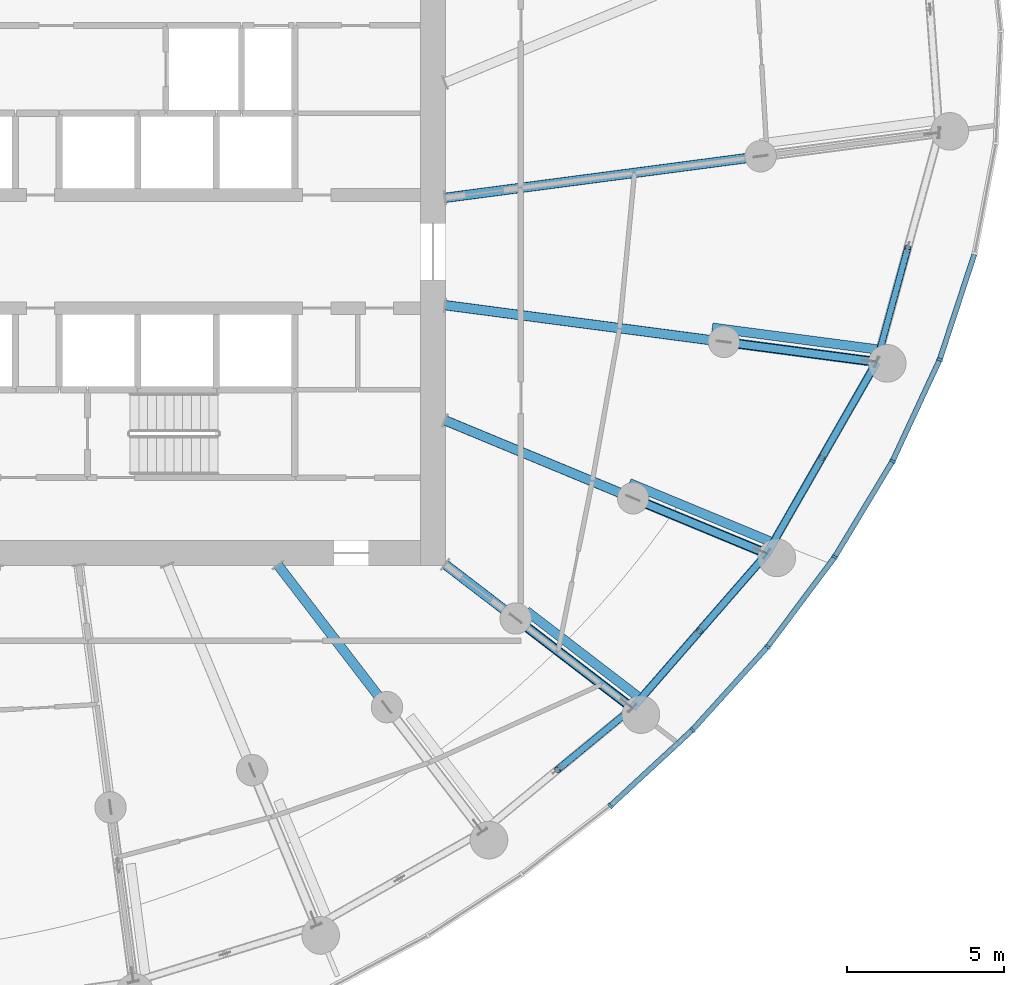
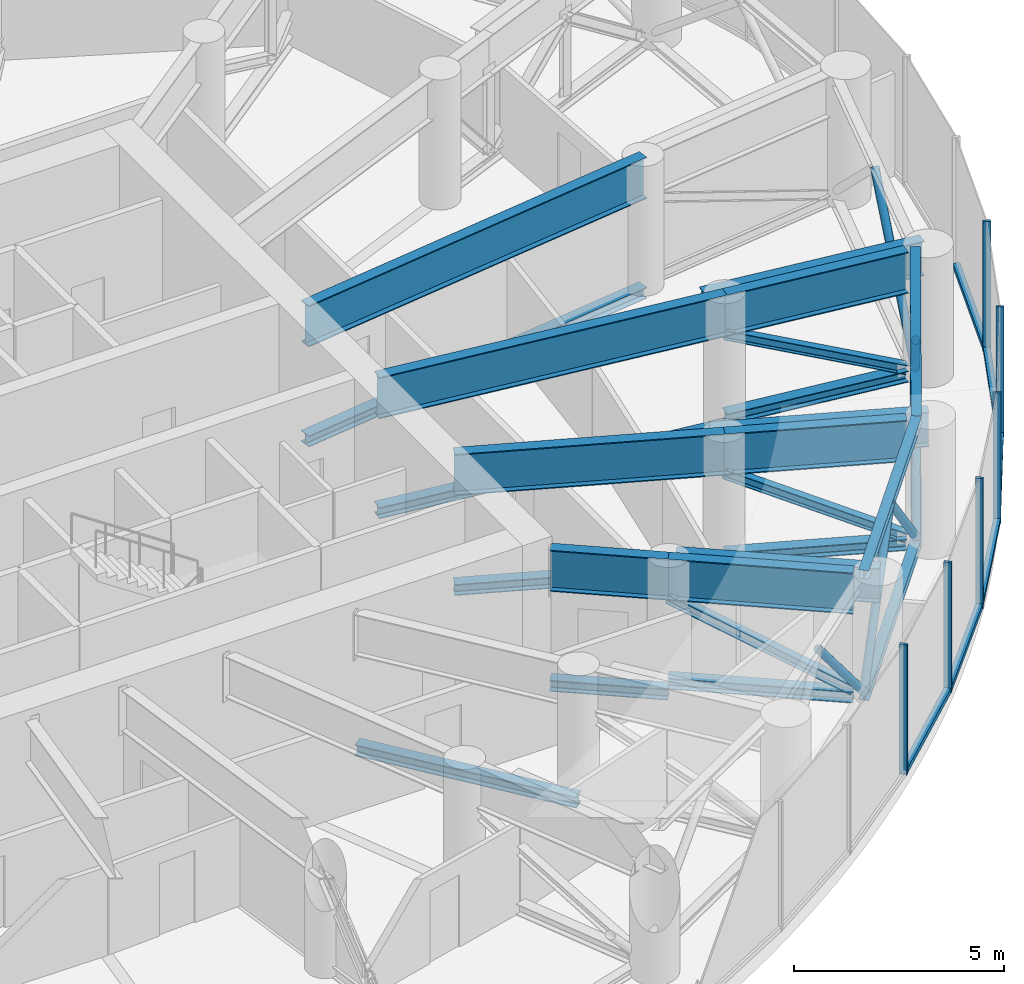
# One storey, part 6 of 33: 33 members, 10 beams, 2 elements without a shape of their own.
"""IFC4 building model written with IfcOpenShell, lengths in metres."""

import ifcopenshell
import ifcopenshell.guid

model = None  # the IFC model being written
_history = None  # IfcOwnerHistory: only IFC2X3 demands one
_inside = {}  # id of a spatial element -> (the spatial element, [elements in it])
_under = {}  # id of a project, library or spatial element -> (it, [spatial elements below it])
_declared = {}  # id of a project -> (the project, [libraries it declares])
_typed = {}  # id of a type object -> (the type object, [elements of that type])
_made_of = {}  # id of a material, layer set ... -> (it, [elements and type objects made of it])


def new_model(schema):
    """Start an empty IFC model of exactly this schema.

    Asked for "IFC4X3", IfcOpenShell would pick the latest addendum, in which some entities
    have other attributes; the version numbers below select the first issue.
    IFC2X3 requires an IfcOwnerHistory on every rooted entity: one is made here for all.
    """
    global model, _history
    if schema == "IFC4X3":
        model = ifcopenshell.file(schema_version=(4, 3, 0, 0))
    else:
        model = ifcopenshell.file(schema=schema)
    _inside.clear()
    _under.clear()
    _declared.clear()
    _typed.clear()
    _made_of.clear()
    _history = None
    if model.schema == "IFC2X3":
        org = make("IfcOrganization", Name="unknown")
        user = make(
            "IfcPersonAndOrganization",
            ThePerson=make("IfcPerson", FamilyName="unknown"),
            TheOrganization=org,
        )
        app = make(
            "IfcApplication",
            ApplicationDeveloper=org,
            Version="unknown",
            ApplicationFullName="unknown",
            ApplicationIdentifier="unknown",
        )
        _history = make(
            "IfcOwnerHistory",
            OwningUser=user,
            OwningApplication=app,
            ChangeAction="ADDED",
            CreationDate=0,
        )
    return model


def make(cls, **values):
    """One entity of the class cls with the attributes given. An attribute that is None is left unset."""
    return model.create_entity(
        cls, **{name: value for name, value in values.items() if value is not None}
    )


def rooted(cls, **values):
    """An entity with a GlobalId (a new one), such as an element, a storey or a relation."""
    return make(cls, GlobalId=ifcopenshell.guid.new(), OwnerHistory=_history, **values)


def si_unit(unit_type, name, prefix=None):
    """IfcSIUnit, for example si_unit("LENGTHUNIT", "METRE", prefix="MILLI")."""
    return make("IfcSIUnit", UnitType=unit_type, Prefix=prefix, Name=name)


def assignment(units):
    """IfcUnitAssignment: the units of a project."""
    return None if units is None else make("IfcUnitAssignment", Units=units)


def point(xyz):
    """IfcCartesianPoint."""
    return None if xyz is None else make("IfcCartesianPoint", Coordinates=xyz)


def direction(xyz):
    """IfcDirection."""
    return None if xyz is None else make("IfcDirection", DirectionRatios=xyz)


def frame(location, z_axis=None, x_axis=None):
    """IfcAxis2Placement3D, a coordinate frame: its origin and axes. An axis left out is left unset."""
    return make(
        "IfcAxis2Placement3D",
        Location=point(location),
        Axis=direction(z_axis),
        RefDirection=direction(x_axis),
    )


def frame_2d(location, x_axis=None):
    """IfcAxis2Placement2D, a coordinate frame in the plane: its origin and x axis."""
    return make(
        "IfcAxis2Placement2D", Location=point(location), RefDirection=direction(x_axis)
    )


def origin():
    """The frame at (0, 0, 0) with its axes left unset."""
    return frame((0.0, 0.0, 0.0))


def origin_2d():
    """The frame at (0, 0) in the plane with its x axis left unset."""
    return frame_2d((0.0, 0.0))


def place(relative_to, where):
    """IfcLocalPlacement: puts the frame where relative to a parent placement (None: the world)."""
    return make(
        "IfcLocalPlacement", PlacementRelTo=relative_to, RelativePlacement=where
    )


def context(
    kind, dimensions, precision=None, world=None, true_north=None, identifier=None
):
    """IfcGeometricRepresentationContext, for example the 3D "Model" context."""
    return make(
        "IfcGeometricRepresentationContext",
        ContextIdentifier=identifier,
        ContextType=kind,
        CoordinateSpaceDimension=dimensions,
        Precision=precision,
        WorldCoordinateSystem=world,
        TrueNorth=true_north,
    )


def subcontext(parent, identifier, kind, view, scale=None):
    """IfcGeometricRepresentationSubContext, for example "Body" below "Model"."""
    return make(
        "IfcGeometricRepresentationSubContext",
        ContextIdentifier=identifier,
        ContextType=kind,
        ParentContext=parent,
        TargetScale=scale,
        TargetView=view,
    )


def project(units=None, contexts=None):
    """IfcProject with its units and contexts."""
    return rooted(
        "IfcProject",
        Name="project",
        RepresentationContexts=contexts,
        UnitsInContext=assignment(units),
    )


def spatial(cls, under=None, at=None, **own):
    """A site, building, storey or space (cls), placed at a placement, below another one or the project."""
    s = rooted(cls, ObjectPlacement=at, **own)
    if under is not None:
        _under.setdefault(under.id(), (under, []))[1].append(s)
    return s


def profile(cls, at=None, kind="AREA", **sizes):
    """A parametric profile (cls). Its sizes go by their IFC names, for example OverallWidth=200.0."""
    return make(cls, ProfileType=kind, Position=at, **sizes)


def rectangle(**sizes):
    """IfcRectangleProfileDef."""
    return profile("IfcRectangleProfileDef", **sizes)


def hollow_circle(**sizes):
    """IfcCircleHollowProfileDef."""
    return profile("IfcCircleHollowProfileDef", **sizes)


def i_section(**sizes):
    """IfcIShapeProfileDef."""
    return profile("IfcIShapeProfileDef", **sizes)


def extrude(swept, where, along, depth):
    """IfcExtrudedAreaSolid: the profile swept, set in the frame where, extruded along a direction by depth."""
    return make(
        "IfcExtrudedAreaSolid",
        SweptArea=swept,
        Position=where,
        ExtrudedDirection=direction(along),
        Depth=depth,
    )


def shape(context_of_items, identifier, shape_type, items):
    """IfcShapeRepresentation: the items that make up one representation, for example the "Body"."""
    return make(
        "IfcShapeRepresentation",
        ContextOfItems=context_of_items,
        RepresentationIdentifier=identifier,
        RepresentationType=shape_type,
        Items=items,
    )


def source(mapping_origin, context_of_items, identifier, shape_type, items):
    """IfcRepresentationMap: a shape defined once, which mapped items show again and again."""
    return make(
        "IfcRepresentationMap",
        MappingOrigin=mapping_origin,
        MappedRepresentation=shape(context_of_items, identifier, shape_type, items),
    )


def transform(
    local_origin,
    x_axis=None,
    y_axis=None,
    z_axis=None,
    scale=None,
    scale2=None,
    scale3=None,
    uniform=True,
):
    """IfcCartesianTransformationOperator3D, or its non-uniform kind. x_axis, y_axis, z_axis: its Axis1, 2, 3."""
    if uniform:
        return make(
            "IfcCartesianTransformationOperator3D",
            Axis1=direction(x_axis),
            Axis2=direction(y_axis),
            LocalOrigin=point(local_origin),
            Scale=scale,
            Axis3=direction(z_axis),
        )
    return make(
        "IfcCartesianTransformationOperator3DnonUniform",
        Axis1=direction(x_axis),
        Axis2=direction(y_axis),
        LocalOrigin=point(local_origin),
        Scale=scale,
        Axis3=direction(z_axis),
        Scale2=scale2,
        Scale3=scale3,
    )


def mapped(mapping_source, mapping_target):
    """IfcMappedItem: shows the shape of a source again, moved by a transform."""
    return make(
        "IfcMappedItem", MappingSource=mapping_source, MappingTarget=mapping_target
    )


def material(Name=None, Category=None):
    """IfcMaterial."""
    return make("IfcMaterial", Name=Name, Category=Category)


def layer(
    of_material, thickness, ventilated=None, Name=None, Category=None, Priority=None
):
    """IfcMaterialLayer: one layer of a wall or slab, of a material (None: an air gap)."""
    return make(
        "IfcMaterialLayer",
        Material=of_material,
        LayerThickness=thickness,
        IsVentilated=ventilated,
        Name=Name,
        Category=Category,
        Priority=Priority,
    )


def layer_set(layers, Name=None):
    """IfcMaterialLayerSet."""
    return make("IfcMaterialLayerSet", MaterialLayers=layers, LayerSetName=Name)


def material_profile(
    of_material, cross_section, Name=None, Category=None, Priority=None
):
    """IfcMaterialProfile: a cross section and its material."""
    return make(
        "IfcMaterialProfile",
        Name=Name,
        Material=of_material,
        Profile=cross_section,
        Priority=Priority,
        Category=Category,
    )


def profile_set(profiles, Name=None, composite=None):
    """IfcMaterialProfileSet."""
    return make(
        "IfcMaterialProfileSet",
        Name=Name,
        MaterialProfiles=profiles,
        CompositeProfile=composite,
    )


def made_of(thing, what):
    """Note that an element or type object is made of a material, layer set ...; save() writes the relation."""
    if what is not None:
        _made_of.setdefault(what.id(), (what, []))[1].append(thing)
    return thing


def type_object(cls, material=None, **own):
    """A type object (cls), such as IfcWallType, which elements share."""
    return made_of(rooted(cls, **own), material)


def element(
    cls,
    number,
    at=None,
    inside=None,
    cuts=None,
    type_object=None,
    material=None,
    context=None,
    identifier="Body",
    shape_type=None,
    held_by="IfcProductDefinitionShape",
    body=None,
    shapes=None,
    **own,
):
    """One element of the class cls, such as IfcWall. Its Tag is "e" and its number.

    at: its placement. inside: the storey or other place that contains it. cuts: it is an
    opening in that element (IfcRelVoidsElement). A single representation is given by context,
    identifier, shape_type and body (its items); several are given by shapes. held_by: the class
    of the entity that holds the representations. save() writes the other relations.
    """
    e = rooted(cls, Tag="e%d" % number, ObjectPlacement=at, **own)
    if body is not None:
        shapes = [shape(context, identifier, shape_type, body)]
    if shapes is not None:
        e.Representation = make(held_by, Representations=shapes)
    if inside is not None:
        _inside.setdefault(inside.id(), (inside, []))[1].append(e)
    if cuts is not None:
        rooted(
            "IfcRelVoidsElement", RelatingBuildingElement=cuts, RelatedOpeningElement=e
        )
    if type_object is not None:
        _typed.setdefault(type_object.id(), (type_object, []))[1].append(e)
    return made_of(e, material)


def aggregate(whole, parts):
    """IfcRelAggregates: a whole, such as a stair, and the parts it consists of."""
    return rooted("IfcRelAggregates", RelatingObject=whole, RelatedObjects=parts)


def save(model, path):
    """Write the relations noted so far, then the file.

    IfcRelAggregates (storeys below a building ...), IfcRelContainedInSpatialStructure (elements
    in a storey), IfcRelDefinesByType, IfcRelAssociatesMaterial and IfcRelDeclares: one each for
    every whole, place, type object, material and project.
    """
    for whole, parts in _under.values():
        aggregate(whole, parts)
    for where, things in _inside.values():
        rooted(
            "IfcRelContainedInSpatialStructure",
            RelatedElements=things,
            RelatingStructure=where,
        )
    for kind, things in _typed.values():
        rooted("IfcRelDefinesByType", RelatedObjects=things, RelatingType=kind)
    for what, things in _made_of.values():
        rooted("IfcRelAssociatesMaterial", RelatedObjects=things, RelatingMaterial=what)
    for by, libraries in _declared.values():
        rooted("IfcRelDeclares", RelatingContext=by, RelatedDefinitions=libraries)
    model.write(path)


model = new_model("IFC4")

# Units and contexts
model_context = context("Model", 3, precision=1e-05, world=origin(), true_north=direction((0.0, 1.0)))
body_context = subcontext(model_context, "Body", "Model", "MODEL_VIEW")
ifc_project = project(units=[si_unit("LENGTHUNIT", "METRE"), si_unit("AREAUNIT", "SQUARE_METRE"), si_unit("VOLUMEUNIT", "CUBIC_METRE"), si_unit("PLANEANGLEUNIT", "RADIAN"), si_unit("MASSUNIT", "GRAM", prefix="KILO")], contexts=[model_context])

# Site, building, storey
site_placement = place(None, origin())
site = spatial("IfcSite", under=ifc_project, at=site_placement, CompositionType="ELEMENT")
building_placement = place(site_placement, origin())
building = spatial("IfcBuilding", under=site, at=building_placement, Name="Spindrift Exchange Tower", CompositionType="ELEMENT")
storey_placement = place(building_placement, frame((0.0, 0.0, 129.0)))
storey = spatial("IfcBuildingStorey", under=building, at=storey_placement, Name="L30", CompositionType="ELEMENT", Elevation=129.0)

# Beams
ifc_material_1 = material(Name="Steel Grade 300", Category="steel")
ifc_material_profile_1 = material_profile(ifc_material_1, i_section(OverallWidth=0.300048828125, OverallDepth=1.199951171875, WebThickness=0.011962890625, FlangeThickness=0.028076171875, at=origin_2d()), Name="1200WB249")
ifc_profile_set_1 = profile_set([ifc_material_profile_1], Name="Steel Grade 300")
beam_type_1 = type_object("IfcBeamType", Name="Outrigger Truss Transfer Girder 1200WB249 Steel Grade 300", PredefinedType="BEAM", material=ifc_profile_set_1)
shared_shape_1 = source(origin(), body_context, "Body", "SweptSolid", [
    extrude(i_section(OverallWidth=0.300048828125, OverallDepth=1.199951171875, WebThickness=0.011962890625, FlangeThickness=0.028076171875, at=origin_2d()), origin(), (0.0, 0.0, 1.0), 10.140380859375),
])
beam_1_placement = place(storey_placement, frame((64.980224609375, 49.708984375, 3.179931640625), z_axis=(0.991446262895, 0.130515546167, 0.0), x_axis=(-0.130515546167, 0.991446262895, 0.0)))
element("IfcBeam", 1, at=beam_1_placement, inside=storey, type_object=beam_type_1, Name="L30 outrigger truss 01 top chord 1", PredefinedType="BEAM", context=body_context, shape_type="MappedRepresentation", body=[
    mapped(shared_shape_1, transform((0.0, 0.0, 0.0), scale=1.0)),
])
shared_shape_2 = source(origin(), body_context, "Body", "SweptSolid", [
    extrude(i_section(OverallWidth=0.300048828125, OverallDepth=1.199951171875, WebThickness=0.011962890625, FlangeThickness=0.028076171875, at=origin_2d()), origin(), (0.0, 0.0, 1.0), 2.833740234375),
])
beam_2_placement = place(storey_placement, frame((64.984130859375, 38.036865234375, 3.179931640625), z_axis=(0.793366414634, -0.608744389815, 0.0), x_axis=(0.608744389815, 0.793366414634, 0.0)))
element("IfcBeam", 2, at=beam_2_placement, inside=storey, type_object=beam_type_1, Name="L30 outrigger truss 22 top chord 1", PredefinedType="BEAM", context=body_context, shape_type="MappedRepresentation", body=[
    mapped(shared_shape_2, transform((0.0, 0.0, 0.0), scale=1.0)),
])
shared_shape_3 = source(origin(), body_context, "Body", "SweptSolid", [
    extrude(i_section(OverallWidth=0.300048828125, OverallDepth=1.199951171875, WebThickness=0.011962890625, FlangeThickness=0.028076171875, at=origin_2d()), origin(), (0.0, 0.0, 1.0), 6.484619140625),
])
beam_3_placement = place(storey_placement, frame((64.9814453125, 42.622802734375, 3.179931640625), z_axis=(0.923884678616, -0.382671008332, 0.0), x_axis=(0.382671008332, 0.923884678616, 0.0)))
element("IfcBeam", 3, at=beam_3_placement, inside=storey, type_object=beam_type_1, Name="L30 outrigger truss 23 top chord 1", PredefinedType="BEAM", context=body_context, shape_type="MappedRepresentation", body=[
    mapped(shared_shape_3, transform((0.0, 0.0, 0.0), scale=1.0)),
])
shared_shape_4 = source(origin(), body_context, "Body", "SweptSolid", [
    extrude(i_section(OverallWidth=0.300048828125, OverallDepth=1.199951171875, WebThickness=0.011962890625, FlangeThickness=0.028076171875, at=origin_2d()), origin(), (0.0, 0.0, 1.0), 8.959716796875),
])
beam_4_placement = place(storey_placement, frame((64.980224609375, 46.291015625, 3.179931640625), z_axis=(0.991445482422, -0.130521474806, 0.0), x_axis=(0.130521474806, 0.991445482422, 0.0)))
element("IfcBeam", 4, at=beam_4_placement, inside=storey, type_object=beam_type_1, Name="L30 outrigger truss 24 top chord 1", PredefinedType="BEAM", context=body_context, shape_type="MappedRepresentation", body=[
    mapped(shared_shape_4, transform((0.0, 0.0, 0.0), scale=1.0)),
])

# Members
ifc_material_profile_2 = material_profile(ifc_material_1, i_section(OverallWidth=0.30908203125, OverallDepth=0.321044921875, WebThickness=0.013916015625, FlangeThickness=0.021728515625, FilletRadius=0.0166015625, at=origin_2d()), Name="310UC137")
ifc_profile_set_2 = profile_set([ifc_material_profile_2], Name="Steel Grade 300")
member_type_1 = type_object("IfcMemberType", Name="Outrigger Truss Chord 310UC137 Steel Grade 300", PredefinedType="CHORD", material=ifc_profile_set_2)
shared_shape_5 = source(origin(), body_context, "Body", "SweptSolid", [
    extrude(i_section(OverallWidth=0.30908203125, OverallDepth=0.321044921875, WebThickness=0.013916015625, FlangeThickness=0.021728515625, FilletRadius=0.0166015625, at=origin_2d()), origin(), (0.0, 0.0, 1.0), 10.140380859375),
])
member_1_placement = place(storey_placement, frame((64.980224609375, 49.708984375, -0.160400390625), z_axis=(0.991446262895, 0.130515546167, 0.0), x_axis=(-0.130515546167, 0.991446262895, 0.0)))
element("IfcMember", 5, at=member_1_placement, inside=storey, type_object=member_type_1, Name="L30 outrigger truss 01 bottom chord 1", PredefinedType="CHORD", context=body_context, shape_type="MappedRepresentation", body=[
    mapped(shared_shape_5, transform((0.0, 0.0, 0.0), scale=1.0)),
])
shared_shape_6 = source(origin(), body_context, "Body", "SweptSolid", [
    extrude(i_section(OverallWidth=0.30908203125, OverallDepth=0.321044921875, WebThickness=0.013916015625, FlangeThickness=0.021728515625, FilletRadius=0.0166015625, at=origin_2d()), origin(), (0.0, 0.0, 1.0), 5.70458984375),
])
member_2_placement = place(storey_placement, frame((59.6611328125, 38.015869140625, -0.160400390625), z_axis=(0.608742365615, -0.793367967784, 0.0), x_axis=(0.793367967784, 0.608742365615, 0.0)))
element("IfcMember", 6, at=member_2_placement, inside=storey, type_object=member_type_1, Name="L30 outrigger truss 21 bottom chord 1", PredefinedType="CHORD", context=body_context, shape_type="MappedRepresentation", body=[
    mapped(shared_shape_6, transform((0.0, 0.0, 0.0), scale=1.0)),
])
shared_shape_7 = source(origin(), body_context, "Body", "SweptSolid", [
    extrude(i_section(OverallWidth=0.30908203125, OverallDepth=0.321044921875, WebThickness=0.013916015625, FlangeThickness=0.021728515625, FilletRadius=0.0166015625, at=origin_2d()), origin(), (0.0, 0.0, 1.0), 2.833740234375),
])
member_3_placement = place(storey_placement, frame((64.984130859375, 38.036865234375, -0.160400390625), z_axis=(0.793366414634, -0.608744389815, 0.0), x_axis=(0.608744389815, 0.793366414634, 0.0)))
element("IfcMember", 7, at=member_3_placement, inside=storey, type_object=member_type_1, Name="L30 outrigger truss 22 bottom chord 1", PredefinedType="CHORD", context=body_context, shape_type="MappedRepresentation", body=[
    mapped(shared_shape_7, transform((0.0, 0.0, 0.0), scale=1.0)),
])

# Beam
shared_shape_8 = source(origin(), body_context, "Body", "SweptSolid", [
    extrude(i_section(OverallWidth=0.300048828125, OverallDepth=1.199951171875, WebThickness=0.011962890625, FlangeThickness=0.028076171875, at=origin_2d()), origin(), (0.0, 0.0, 1.0), 4.446044921875),
])
beam_5_placement = place(storey_placement, frame((67.232421875, 36.311767578125, 3.179931640625), z_axis=(0.793362365638, -0.608749666768, 0.0), x_axis=(0.608749666768, 0.793362365638, 0.0)))
element("IfcBeam", 8, at=beam_5_placement, inside=storey, type_object=beam_type_1, Name="L30 outrigger truss 22 top chord 2", PredefinedType="BEAM", context=body_context, shape_type="MappedRepresentation", body=[
    mapped(shared_shape_8, transform((0.0, 0.0, 0.0), scale=1.0)),
])

# Members
shared_shape_9 = source(origin(), body_context, "Body", "SweptSolid", [
    extrude(i_section(OverallWidth=0.30908203125, OverallDepth=0.321044921875, WebThickness=0.013916015625, FlangeThickness=0.021728515625, FilletRadius=0.0166015625, at=origin_2d()), origin(), (0.0, 0.0, 1.0), 4.446044921875),
])
member_4_placement = place(storey_placement, frame((67.232421875, 36.311767578125, 0.160400390625), z_axis=(0.793362365638, -0.608749666768, 0.0), x_axis=(0.608749666768, 0.793362365638, 0.0)))
element("IfcMember", 9, at=member_4_placement, inside=storey, type_object=member_type_1, Name="L30 outrigger truss 22 bottom chord 2", PredefinedType="CHORD", context=body_context, shape_type="MappedRepresentation", body=[
    mapped(shared_shape_9, transform((0.0, 0.0, 0.0), scale=1.0)),
])
ifc_material_profile_3 = material_profile(ifc_material_1, i_section(OverallWidth=0.25390625, OverallDepth=0.25390625, WebThickness=0.008544921875, FlangeThickness=0.01416015625, FilletRadius=0.011962890625, at=origin_2d()), Name="250UC72.9")
ifc_profile_set_3 = profile_set([ifc_material_profile_3], Name="Steel Grade 300")
member_type_2 = type_object("IfcMemberType", Name="Outrigger Truss Diagonal 250UC72.9 Steel Grade 300", PredefinedType="BRACE", material=ifc_profile_set_3)
shared_shape_10 = source(origin(), body_context, "Body", "SweptSolid", [
    extrude(i_section(OverallWidth=0.25390625, OverallDepth=0.25390625, WebThickness=0.008544921875, FlangeThickness=0.01416015625, FilletRadius=0.011962890625, at=origin_2d()), origin(), (0.0, 0.0, 1.0), 4.987060546875),
])
member_5_placement = place(storey_placement, frame((67.232421875, 36.311767578125, 2.580078125), z_axis=(0.707299349333, -0.542713218903, -0.452979019891), x_axis=(0.608749666768, 0.793362365638, 0.0)))
element("IfcMember", 10, at=member_5_placement, inside=storey, type_object=member_type_2, Name="L30 outrigger truss 22 diagonal 2", PredefinedType="BRACE", context=body_context, shape_type="MappedRepresentation", body=[
    mapped(shared_shape_10, transform((0.0, 0.0, 0.0), scale=1.0)),
])
shared_shape_11 = source(origin(), body_context, "Body", "SweptSolid", [
    extrude(i_section(OverallWidth=0.30908203125, OverallDepth=0.321044921875, WebThickness=0.013916015625, FlangeThickness=0.021728515625, FilletRadius=0.0166015625, at=origin_2d()), origin(), (0.0, 0.0, 1.0), 6.484619140625),
])
member_6_placement = place(storey_placement, frame((64.9814453125, 42.622802734375, -0.160400390625), z_axis=(0.923884678616, -0.382671008332, 0.0), x_axis=(0.382671008332, 0.923884678616, 0.0)))
element("IfcMember", 11, at=member_6_placement, inside=storey, type_object=member_type_1, Name="L30 outrigger truss 23 bottom chord 1", PredefinedType="CHORD", context=body_context, shape_type="MappedRepresentation", body=[
    mapped(shared_shape_11, transform((0.0, 0.0, 0.0), scale=1.0)),
])

# Beam
shared_shape_12 = source(origin(), body_context, "Body", "SweptSolid", [
    extrude(i_section(OverallWidth=0.300048828125, OverallDepth=1.199951171875, WebThickness=0.011962890625, FlangeThickness=0.028076171875, at=origin_2d()), origin(), (0.0, 0.0, 1.0), 4.372314453125),
])
beam_6_placement = place(storey_placement, frame((70.972412109375, 40.141357421875, 3.179931640625), z_axis=(0.923871193671, -0.382703563485, 0.0), x_axis=(0.382703563485, 0.923871193671, 0.0)))
element("IfcBeam", 12, at=beam_6_placement, inside=storey, type_object=beam_type_1, Name="L30 outrigger truss 23 top chord 2", PredefinedType="BEAM", context=body_context, shape_type="MappedRepresentation", body=[
    mapped(shared_shape_12, transform((0.0, 0.0, 0.0), scale=1.0)),
])

# Members
shared_shape_13 = source(origin(), body_context, "Body", "SweptSolid", [
    extrude(i_section(OverallWidth=0.30908203125, OverallDepth=0.321044921875, WebThickness=0.013916015625, FlangeThickness=0.021728515625, FilletRadius=0.0166015625, at=origin_2d()), origin(), (0.0, 0.0, 1.0), 4.372314453125),
])
member_7_placement = place(storey_placement, frame((70.972412109375, 40.141357421875, 0.160400390625), z_axis=(0.923871193671, -0.382703563485, 0.0), x_axis=(0.382703563485, 0.923871193671, 0.0)))
element("IfcMember", 13, at=member_7_placement, inside=storey, type_object=member_type_1, Name="L30 outrigger truss 23 bottom chord 2", PredefinedType="CHORD", context=body_context, shape_type="MappedRepresentation", body=[
    mapped(shared_shape_13, transform((0.0, 0.0, 0.0), scale=1.0)),
])
shared_shape_14 = source(origin(), body_context, "Body", "SweptSolid", [
    extrude(i_section(OverallWidth=0.25390625, OverallDepth=0.25390625, WebThickness=0.008544921875, FlangeThickness=0.01416015625, FilletRadius=0.011962890625, at=origin_2d()), origin(), (0.0, 0.0, 1.0), 4.921630859375),
])
member_8_placement = place(storey_placement, frame((70.972412109375, 40.141357421875, 2.580078125), z_axis=(0.820794876143, -0.340005323406, -0.459012147283), x_axis=(0.382703563485, 0.923871193671, 0.0)))
element("IfcMember", 14, at=member_8_placement, inside=storey, type_object=member_type_2, Name="L30 outrigger truss 23 diagonal 2", PredefinedType="BRACE", context=body_context, shape_type="MappedRepresentation", body=[
    mapped(shared_shape_14, transform((0.0, 0.0, 0.0), scale=1.0)),
])
shared_shape_15 = source(origin(), body_context, "Body", "SweptSolid", [
    extrude(i_section(OverallWidth=0.30908203125, OverallDepth=0.321044921875, WebThickness=0.013916015625, FlangeThickness=0.021728515625, FilletRadius=0.0166015625, at=origin_2d()), origin(), (0.0, 0.0, 1.0), 8.959716796875),
])
member_9_placement = place(storey_placement, frame((64.980224609375, 46.291015625, -0.160400390625), z_axis=(0.991445482422, -0.130521474806, 0.0), x_axis=(0.130521474806, 0.991445482422, 0.0)))
element("IfcMember", 15, at=member_9_placement, inside=storey, type_object=member_type_1, Name="L30 outrigger truss 24 bottom chord 1", PredefinedType="CHORD", context=body_context, shape_type="MappedRepresentation", body=[
    mapped(shared_shape_15, transform((0.0, 0.0, 0.0), scale=1.0)),
])

# Beam
shared_shape_16 = source(origin(), body_context, "Body", "SweptSolid", [
    extrude(i_section(OverallWidth=0.300048828125, OverallDepth=1.199951171875, WebThickness=0.011962890625, FlangeThickness=0.028076171875, at=origin_2d()), origin(), (0.0, 0.0, 1.0), 4.666015625),
])
beam_7_placement = place(storey_placement, frame((73.86328125, 45.12158203125, 3.179931640625), z_axis=(0.991449486517, -0.130491055959, 0.0), x_axis=(0.130491055959, 0.991449486517, 0.0)))
element("IfcBeam", 16, at=beam_7_placement, inside=storey, type_object=beam_type_1, Name="L30 outrigger truss 24 top chord 2", PredefinedType="BEAM", context=body_context, shape_type="MappedRepresentation", body=[
    mapped(shared_shape_16, transform((0.0, 0.0, 0.0), scale=1.0)),
])

# Members
shared_shape_17 = source(origin(), body_context, "Body", "SweptSolid", [
    extrude(i_section(OverallWidth=0.30908203125, OverallDepth=0.321044921875, WebThickness=0.013916015625, FlangeThickness=0.021728515625, FilletRadius=0.0166015625, at=origin_2d()), origin(), (0.0, 0.0, 1.0), 4.666015625),
])
member_10_placement = place(storey_placement, frame((73.86328125, 45.12158203125, 0.160400390625), z_axis=(0.991449486517, -0.130491055959, 0.0), x_axis=(0.130491055959, 0.991449486517, 0.0)))
element("IfcMember", 17, at=member_10_placement, inside=storey, type_object=member_type_1, Name="L30 outrigger truss 24 bottom chord 2", PredefinedType="CHORD", context=body_context, shape_type="MappedRepresentation", body=[
    mapped(shared_shape_17, transform((0.0, 0.0, 0.0), scale=1.0)),
])
shared_shape_18 = source(origin(), body_context, "Body", "SweptSolid", [
    extrude(i_section(OverallWidth=0.25390625, OverallDepth=0.25390625, WebThickness=0.008544921875, FlangeThickness=0.01416015625, FilletRadius=0.011962890625, at=origin_2d()), origin(), (0.0, 0.0, 1.0), 5.18408203125),
])
member_11_placement = place(storey_placement, frame((73.86328125, 45.12158203125, 2.580078125), z_axis=(0.892369881361, -0.117450550642, -0.435753787125), x_axis=(0.130491055959, 0.991449486517, 0.0)))
element("IfcMember", 18, at=member_11_placement, inside=storey, type_object=member_type_2, Name="L30 outrigger truss 24 diagonal 2", PredefinedType="BRACE", context=body_context, shape_type="MappedRepresentation", body=[
    mapped(shared_shape_18, transform((0.0, 0.0, 0.0), scale=1.0)),
])
ifc_material_2 = material(Name="Steel Grade 350", Category="steel")
ifc_material_profile_4 = material_profile(ifc_material_2, hollow_circle(Radius=0.109619140625, WallThickness=0.006103515625, at=origin_2d()), Name="219.1x6.0CHS")
ifc_profile_set_4 = profile_set([ifc_material_profile_4], Name="Steel Grade 350")
member_type_3 = type_object("IfcMemberType", Name="Belt Truss Diagonal 219.1x6.0CHS Steel Grade 350", PredefinedType="BRACE", material=ifc_profile_set_4)
shared_shape_19 = source(origin(), body_context, "Body", "SweptSolid", [
    extrude(hollow_circle(Radius=0.109619140625, WallThickness=0.006103515625, at=origin_2d()), origin(), (0.0, 0.0, 1.0), 4.50244140625),
])
member_12_placement = place(storey_placement, frame((68.5625, 31.492919921875, 3.52587890625), z_axis=(0.530306997952, 0.43666280721, -0.726704947501), x_axis=(-0.635654683038, 0.771973525408, 0.0)))
element("IfcMember", 19, at=member_12_placement, inside=storey, type_object=member_type_3, Name="L30 belt truss 21 diagonal 2", PredefinedType="BRACE", context=body_context, shape_type="MappedRepresentation", body=[
    mapped(shared_shape_19, transform((0.0, 0.0, 0.0), scale=1.0)),
])
ifc_material_profile_5 = material_profile(ifc_material_1, i_section(OverallWidth=0.25390625, OverallDepth=0.25390625, WebThickness=0.008544921875, FlangeThickness=0.01416015625, FilletRadius=0.011962890625, at=origin_2d()), Name="250UC72.9")
ifc_profile_set_5 = profile_set([ifc_material_profile_5], Name="Steel Grade 300")
member_type_4 = type_object("IfcMemberType", Name="Belt Truss Chord 250UC72.9 Steel Grade 300", PredefinedType="CHORD", material=ifc_profile_set_5)
shared_shape_20 = source(origin(), body_context, "Body", "SweptSolid", [
    extrude(i_section(OverallWidth=0.25390625, OverallDepth=0.25390625, WebThickness=0.008544921875, FlangeThickness=0.01416015625, FilletRadius=0.011962890625, at=origin_2d()), origin(), (0.0, 0.0, 1.0), 6.521240234375),
])
for number, where, z_axis, x_axis, name in (
    (20, (70.9501953125, 33.458984375, 3.653076171875), (0.656841174374, 0.754028959422, 0.0), (-0.754028959422, 0.656841174374, 0.0), "L30 belt truss 22 top chord"),
    (21, (70.9501953125, 33.458984375, 0.126953125), (0.656841174374, 0.754028959422, 0.0), (-0.754028959422, 0.656841174374, 0.0), "L30 belt truss 22 bottom chord"),
):
    element("IfcMember", number, at=place(storey_placement, frame(where, z_axis=z_axis, x_axis=x_axis)), inside=storey, type_object=member_type_4, Name=name, PredefinedType="CHORD", context=body_context, shape_type="MappedRepresentation", body=[
        mapped(shared_shape_20, transform((0.0, 0.0, 0.0), scale=1.0)),
    ])
shared_shape_21 = source(origin(), body_context, "Body", "SweptSolid", [
    extrude(hollow_circle(Radius=0.109619140625, WallThickness=0.006103515625, at=origin_2d()), origin(), (0.0, 0.0, 1.0), 4.619384765625),
])
member_13_placement = place(storey_placement, frame((70.9501953125, 33.458984375, 0.25390625), z_axis=(0.46362326394, 0.532278829359, 0.708330937451), x_axis=(-0.754063652247, 0.656801346193, 0.0)))
element("IfcMember", 22, at=member_13_placement, inside=storey, type_object=member_type_3, Name="L30 belt truss 22 diagonal 1", PredefinedType="BRACE", context=body_context, shape_type="MappedRepresentation", body=[
    mapped(shared_shape_21, transform((0.0, 0.0, 0.0), scale=1.0)),
])
shared_shape_22 = source(origin(), body_context, "Body", "SweptSolid", [
    extrude(hollow_circle(Radius=0.109619140625, WallThickness=0.006103515625, at=origin_2d()), origin(), (0.0, 0.0, 1.0), 4.619140625),
])
member_14_placement = place(storey_placement, frame((73.091796875, 35.917724609375, 3.52587890625), z_axis=(0.463677797791, 0.532227906503, -0.708333505755), x_axis=(-0.753994264242, 0.656881001012, 0.0)))
element("IfcMember", 23, at=member_14_placement, inside=storey, type_object=member_type_3, Name="L30 belt truss 22 diagonal 2", PredefinedType="BRACE", context=body_context, shape_type="MappedRepresentation", body=[
    mapped(shared_shape_22, transform((0.0, 0.0, 0.0), scale=1.0)),
])
shared_shape_23 = source(origin(), body_context, "Body", "SweptSolid", [
    extrude(i_section(OverallWidth=0.25390625, OverallDepth=0.25390625, WebThickness=0.008544921875, FlangeThickness=0.01416015625, FilletRadius=0.011962890625, at=origin_2d()), origin(), (0.0, 0.0, 1.0), 7.033935546875),
])
for number, where, z_axis, x_axis, name in (
    (24, (75.233642578125, 38.376220703125, 3.653076171875), (0.49668457129, 0.867931124366, 0.0), (-0.867931124366, 0.49668457129, 0.0), "L30 belt truss 23 top chord"),
    (25, (75.233642578125, 38.376220703125, 0.126953125), (0.49668457129, 0.867931124366, 0.0), (-0.867931124366, 0.49668457129, 0.0), "L30 belt truss 23 bottom chord"),
):
    element("IfcMember", number, at=place(storey_placement, frame(where, z_axis=z_axis, x_axis=x_axis)), inside=storey, type_object=member_type_4, Name=name, PredefinedType="CHORD", context=body_context, shape_type="MappedRepresentation", body=[
        mapped(shared_shape_23, transform((0.0, 0.0, 0.0), scale=1.0)),
    ])
shared_shape_24 = source(origin(), body_context, "Body", "SweptSolid", [
    extrude(hollow_circle(Radius=0.109619140625, WallThickness=0.006103515625, at=origin_2d()), origin(), (0.0, 0.0, 1.0), 4.8037109375),
])
for number, where, z_axis, x_axis, name in (
    (26, (75.233642578125, 38.376220703125, 0.25390625), (0.363646778552, 0.635454321765, 0.681145230769), (-0.867931124366, 0.49668457129, 0.0), "L30 belt truss 23 diagonal 1"),
    (27, (76.98046875, 41.4287109375, 3.52587890625), (0.363646778552, 0.635454321765, -0.681145230769), (-0.867931124366, 0.49668457129, 0.0), "L30 belt truss 23 diagonal 2"),
):
    element("IfcMember", number, at=place(storey_placement, frame(where, z_axis=z_axis, x_axis=x_axis)), inside=storey, type_object=member_type_3, Name=name, PredefinedType="BRACE", context=body_context, shape_type="MappedRepresentation", body=[
        mapped(shared_shape_24, transform((0.0, 0.0, 0.0), scale=1.0)),
    ])
shared_shape_25 = source(origin(), body_context, "Body", "SweptSolid", [
    extrude(hollow_circle(Radius=0.109619140625, WallThickness=0.006103515625, at=origin_2d()), origin(), (0.0, 0.0, 1.0), 5.001953125),
])
member_15_placement = place(storey_placement, frame((78.727294921875, 44.481201171875, 0.25390625), z_axis=(0.199139926338, 0.729691641853, 0.654135610977), x_axis=(-0.964719132918, 0.263281208181, 0.0)))
element("IfcMember", 28, at=member_15_placement, inside=storey, type_object=member_type_3, Name="L30 belt truss 24 diagonal 1", PredefinedType="BRACE", context=body_context, shape_type="MappedRepresentation", body=[
    mapped(shared_shape_25, transform((0.0, 0.0, 0.0), scale=1.0)),
])

# Beams
ifc_material_profile_6 = material_profile(ifc_material_1, i_section(OverallWidth=0.300048828125, OverallDepth=1.0, WebThickness=0.010009765625, FlangeThickness=0.02001953125, at=origin_2d()), Name="1000WB215")
ifc_profile_set_6 = profile_set([ifc_material_profile_6], Name="Steel Grade 300")
beam_type_2 = type_object("IfcBeamType", Name="Transfer Tie Beam 1000WB215 Steel Grade 300", PredefinedType="BEAM", material=ifc_profile_set_6)
shared_shape_26 = source(origin(), body_context, "Body", "SweptSolid", [
    extrude(i_section(OverallWidth=0.300048828125, OverallDepth=1.0, WebThickness=0.010009765625, FlangeThickness=0.02001953125, at=origin_2d()), origin(), (0.0, 0.0, 1.0), 4.89501953125),
])
beam_8_placement = place(storey_placement, frame((71.46337890625, 33.5693359375, 3.179931640625), z_axis=(-0.793350218497, 0.608765497389, 0.0), x_axis=(-0.608765497389, -0.793350218497, 0.0)))
element("IfcBeam", 29, at=beam_8_placement, inside=storey, type_object=beam_type_2, Name="L30 transfer tie beam K22", PredefinedType="BEAM", context=body_context, shape_type="MappedRepresentation", body=[
    mapped(shared_shape_26, transform((0.0, 0.0, 0.0), scale=1.0)),
])
shared_shape_27 = source(origin(), body_context, "Body", "SweptSolid", [
    extrude(i_section(OverallWidth=0.300048828125, OverallDepth=1.0, WebThickness=0.010009765625, FlangeThickness=0.02001953125, at=origin_2d()), origin(), (0.0, 0.0, 1.0), 5.248046875),
])
beam_9_placement = place(storey_placement, frame((75.700927734375, 38.61572265625, 3.179931640625), z_axis=(-0.923884159857, 0.382672260774, 0.0), x_axis=(-0.382672260774, -0.923884159857, 0.0)))
element("IfcBeam", 30, at=beam_9_placement, inside=storey, type_object=beam_type_2, Name="L30 transfer tie beam K23", PredefinedType="BEAM", context=body_context, shape_type="MappedRepresentation", body=[
    mapped(shared_shape_27, transform((0.0, 0.0, 0.0), scale=1.0)),
])
shared_shape_28 = source(origin(), body_context, "Body", "SweptSolid", [
    extrude(i_section(OverallWidth=0.300048828125, OverallDepth=1.0, WebThickness=0.010009765625, FlangeThickness=0.02001953125, at=origin_2d()), origin(), (0.0, 0.0, 1.0), 5.672119140625),
])
beam_10_placement = place(storey_placement, frame((79.11669921875, 44.83349609375, 3.179931640625), z_axis=(-0.991447555049, 0.130505730091, 0.0), x_axis=(-0.130505730091, -0.991447555049, 0.0)))
element("IfcBeam", 31, at=beam_10_placement, inside=storey, type_object=beam_type_2, Name="L30 transfer tie beam K24", PredefinedType="BEAM", context=body_context, shape_type="MappedRepresentation", body=[
    mapped(shared_shape_28, transform((0.0, 0.0, 0.0), scale=1.0)),
])

# Curtain wall, members
ifc_material_3 = material(Name="Fritted laminated glass with bronze frame", Category="glass")
ifc_layer = layer(ifc_material_3, 0.18994140625)
ifc_layer_set = layer_set([ifc_layer], Name="ZONE 2 BRONZE FRITTED WALL")
curtain_wall_type = type_object("IfcCurtainWallType", Name="ZONE 2 BRONZE FRITTED WALL", PredefinedType="NOTDEFINED", material=ifc_layer_set)
curtain_wall_1_placement = place(storey_placement, origin())
curtain_wall_1 = element("IfcCurtainWall", 32, at=curtain_wall_1_placement, inside=storey, type_object=curtain_wall_type, Name="L30 Zone 2 Bronze Fritted Wall run 8", PredefinedType="NOTDEFINED")
ifc_material_4 = material(Name="Bronze anodised aluminium", Category="aluminium")
ifc_material_profile_7 = material_profile(ifc_material_4, rectangle(XDim=0.169921875, YDim=0.139892578125, at=origin_2d()), Name="ZONE 2 BRONZE FRITTED WALL TRANSOM 170X140")
ifc_profile_set_7 = profile_set([ifc_material_profile_7], Name="Bronze anodised aluminium")
member_type_5 = type_object("IfcMemberType", Name="ZONE 2 BRONZE FRITTED WALL TRANSOM 170X140", PredefinedType="USERDEFINED", material=ifc_profile_set_7)
shared_shape_29 = source(origin(), body_context, "Body", "SweptSolid", [
    extrude(rectangle(XDim=0.169921875, YDim=0.139892578125, at=origin_2d()), origin(), (0.0, 0.0, 1.0), 3.4912109375),
])
member_16_placement = place(storey_placement, frame((75.280517578125, 35.444091796875, 0.070068359375), z_axis=(0.598723750229, 0.800955598589, 0.0), x_axis=(-0.800955598589, 0.598723750229, 0.0)))
member_16 = element("IfcMember", 33, at=member_16_placement, type_object=member_type_5, Name="L30 transom CW-2.43", ObjectType="TRANSOM", PredefinedType="USERDEFINED", context=body_context, shape_type="MappedRepresentation", body=[
    mapped(shared_shape_29, transform((0.0, 0.0, 0.0), scale=1.0)),
])
member_17_placement = place(storey_placement, frame((77.41259765625, 38.302734375, 0.070068359375), z_axis=(0.516232696582, 0.856448365624, 0.0), x_axis=(-0.856448365624, 0.516232696582, 0.0)))
member_17 = element("IfcMember", 34, at=member_17_placement, type_object=member_type_5, Name="L30 transom CW-2.44", ObjectType="TRANSOM", PredefinedType="USERDEFINED", context=body_context, shape_type="MappedRepresentation", body=[
    mapped(shared_shape_29, transform((0.0, 0.0, 0.0), scale=1.0)),
])

# Curtain wall, member
curtain_wall_2_placement = place(storey_placement, origin())
curtain_wall_2 = element("IfcCurtainWall", 35, at=curtain_wall_2_placement, inside=storey, type_object=curtain_wall_type, Name="L30 Zone 2 Bronze Fritted Wall run 7", PredefinedType="NOTDEFINED")
shared_shape_30 = source(origin(), body_context, "Body", "SweptSolid", [
    extrude(rectangle(XDim=0.169921875, YDim=0.139892578125, at=origin_2d()), origin(), (0.0, 0.0, 1.0), 3.49169921875),
])
member_18_placement = place(storey_placement, frame((70.2744140625, 30.373046875, 0.070068359375), z_axis=(0.734186571758, 0.67894777255, 0.0), x_axis=(-0.67894777255, 0.734186571758, 0.0)))
member_18 = element("IfcMember", 36, at=member_18_placement, type_object=member_type_5, Name="L30 transom CW-2.41", ObjectType="TRANSOM", PredefinedType="USERDEFINED", context=body_context, shape_type="MappedRepresentation", body=[
    mapped(shared_shape_30, transform((0.0, 0.0, 0.0), scale=1.0)),
])

# Member
shared_shape_31 = source(origin(), body_context, "Body", "SweptSolid", [
    extrude(rectangle(XDim=0.169921875, YDim=0.139892578125, at=origin_2d()), origin(), (0.0, 0.0, 1.0), 3.490478515625),
])
member_19_placement = place(storey_placement, frame((80.7490234375, 44.593994140625, 0.070068359375), z_axis=(0.312721394479, 0.949844897568, 0.0), x_axis=(-0.949844897568, 0.312721394479, 0.0)))
member_19 = element("IfcMember", 37, at=member_19_placement, type_object=member_type_5, Name="L30 transom CW-2.46", ObjectType="TRANSOM", PredefinedType="USERDEFINED", context=body_context, shape_type="MappedRepresentation", body=[
    mapped(shared_shape_31, transform((0.0, 0.0, 0.0), scale=1.0)),
])

shared_shape_32 = source(origin(), body_context, "Body", "SweptSolid", [
    extrude(rectangle(XDim=0.169921875, YDim=0.139892578125, at=origin_2d()), origin(), (0.0, 0.0, 1.0), 3.49072265625),
])
member_20_placement = place(storey_placement, frame((79.25, 41.35888671875, 0.070068359375), z_axis=(0.42151812445, 0.906819977041, 0.0), x_axis=(-0.906819977041, 0.42151812445, 0.0)))
member_20 = element("IfcMember", 38, at=member_20_placement, type_object=member_type_5, Name="L30 transom CW-2.45", ObjectType="TRANSOM", PredefinedType="USERDEFINED", context=body_context, shape_type="MappedRepresentation", body=[
    mapped(shared_shape_32, transform((0.0, 0.0, 0.0), scale=1.0)),
])

shared_shape_33 = source(origin(), body_context, "Body", "SweptSolid", [
    extrude(rectangle(XDim=0.169921875, YDim=0.139892578125, at=origin_2d()), origin(), (0.0, 0.0, 1.0), 3.491455078125),
])
member_21_placement = place(storey_placement, frame((72.890625, 32.796875, 0.070068359375), z_axis=(0.670840084766, 0.741602036588, 0.0), x_axis=(-0.741602036588, 0.670840084766, 0.0)))
member_21 = element("IfcMember", 39, at=member_21_placement, type_object=member_type_5, Name="L30 transom CW-2.42", ObjectType="TRANSOM", PredefinedType="USERDEFINED", context=body_context, shape_type="MappedRepresentation", body=[
    mapped(shared_shape_33, transform((0.0, 0.0, 0.0), scale=1.0)),
])

ifc_material_profile_8 = material_profile(ifc_material_4, rectangle(XDim=0.074951171875, YDim=0.18994140625, at=origin_2d()), Name="ZONE 2 BRONZE FRITTED WALL MULLION 75X190")
ifc_profile_set_8 = profile_set([ifc_material_profile_8], Name="Bronze anodised aluminium")
member_type_6 = type_object("IfcMemberType", Name="ZONE 2 BRONZE FRITTED WALL MULLION 75X190", PredefinedType="MULLION", material=ifc_profile_set_8)
shared_shape_34 = source(origin(), body_context, "Body", "SweptSolid", [
    extrude(rectangle(XDim=0.074951171875, YDim=0.18994140625, at=origin_2d()), origin(), (0.0, 0.0, 1.0), 3.780029296875),
])
member_22_placement = place(storey_placement, frame((70.246826171875, 30.34765625, 0.0), z_axis=(0.0, 0.0, 1.0), x_axis=(0.762769371655, 0.646670616052, 0.0)))
member_22 = element("IfcMember", 40, at=member_22_placement, type_object=member_type_6, Name="L30 mullion CW-2.41", PredefinedType="MULLION", context=body_context, shape_type="MappedRepresentation", body=[
    mapped(shared_shape_34, transform((0.0, 0.0, 0.0), scale=1.0)),
])

member_23_placement = place(storey_placement, frame((72.865478515625, 32.76904296875, 0.0), z_axis=(0.0, 0.0, 1.0), x_axis=(0.703222623694, 0.710969719133, 0.0)))
member_23 = element("IfcMember", 41, at=member_23_placement, type_object=member_type_6, Name="L30 mullion CW-2.42", PredefinedType="MULLION", context=body_context, shape_type="MappedRepresentation", body=[
    mapped(shared_shape_34, transform((0.0, 0.0, 0.0), scale=1.0)),
])

aggregate(curtain_wall_2, [member_22, member_18, member_23, member_21])

member_24_placement = place(storey_placement, frame((75.258056640625, 35.4140625, 0.0), z_axis=(0.0, 0.0, 1.0), x_axis=(0.635468562936, 0.772126741876, 0.0)))
member_24 = element("IfcMember", 42, at=member_24_placement, type_object=member_type_6, Name="L30 mullion CW-2.43", PredefinedType="MULLION", context=body_context, shape_type="MappedRepresentation", body=[
    mapped(shared_shape_34, transform((0.0, 0.0, 0.0), scale=1.0)),
])

member_25_placement = place(storey_placement, frame((77.393310546875, 38.2705078125, 0.0), z_axis=(0.0, 0.0, 1.0), x_axis=(0.558150137706, 0.829739973593, 0.0)))
member_25 = element("IfcMember", 43, at=member_25_placement, type_object=member_type_6, Name="L30 mullion CW-2.44", PredefinedType="MULLION", context=body_context, shape_type="MappedRepresentation", body=[
    mapped(shared_shape_34, transform((0.0, 0.0, 0.0), scale=1.0)),
])

member_26_placement = place(storey_placement, frame((79.234130859375, 41.32470703125, 0.0), z_axis=(0.0, 0.0, 1.0), x_axis=(0.469559857695, 0.88290063996, 0.0)))
member_26 = element("IfcMember", 44, at=member_26_placement, type_object=member_type_6, Name="L30 mullion CW-2.45", PredefinedType="MULLION", context=body_context, shape_type="MappedRepresentation", body=[
    mapped(shared_shape_34, transform((0.0, 0.0, 0.0), scale=1.0)),
])

member_27_placement = place(storey_placement, frame((80.7373046875, 44.558349609375, 0.0), z_axis=(0.0, 0.0, 1.0), x_axis=(0.367778271932, 0.929913513556, 0.0)))
member_27 = element("IfcMember", 45, at=member_27_placement, type_object=member_type_6, Name="L30 mullion CW-2.46", PredefinedType="MULLION", context=body_context, shape_type="MappedRepresentation", body=[
    mapped(shared_shape_34, transform((0.0, 0.0, 0.0), scale=1.0)),
])

aggregate(curtain_wall_1, [member_24, member_16, member_25, member_17, member_26, member_20, member_27, member_19])

save(model, "model.ifc")
